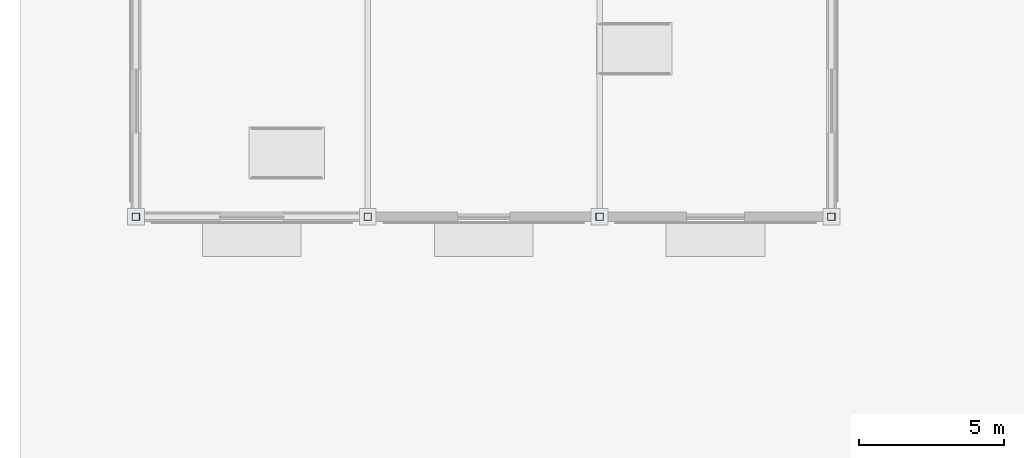
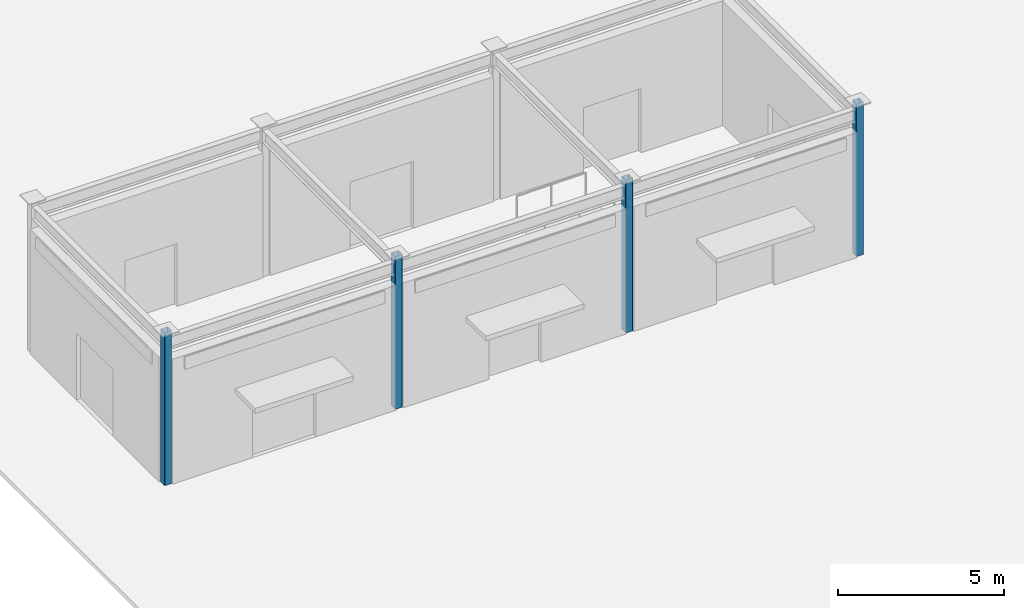
# One storey, part 3 of 128: 4 columns.
"""IFC4 building model written with IfcOpenShell, lengths in metres."""

from ifc_helpers import new_model, si_unit, direction, frame, origin, origin_2d, place, context, subcontext, project, spatial, hollow_rectangle, extrude, material, material_profile, profile_set, type_object, element, save


model = new_model("IFC4")

# Units and contexts
model_context = context("Model", 3, precision=1e-05, world=origin(), true_north=direction((0.0, 1.0)))
body_context = subcontext(model_context, "Body", "Model", "MODEL_VIEW")
ifc_project = project(units=[si_unit("LENGTHUNIT", "METRE"), si_unit("AREAUNIT", "SQUARE_METRE"), si_unit("VOLUMEUNIT", "CUBIC_METRE"), si_unit("PLANEANGLEUNIT", "RADIAN"), si_unit("MASSUNIT", "GRAM", prefix="KILO")], contexts=[model_context])

# Site, building, storey
site_placement = place(None, origin())
site = spatial("IfcSite", under=ifc_project, at=site_placement, CompositionType="ELEMENT")
building_placement = place(site_placement, origin())
building = spatial("IfcBuilding", under=site, at=building_placement, Name="Solmirada Galleria", CompositionType="ELEMENT")
storey_placement = place(building_placement, origin())
storey = spatial("IfcBuildingStorey", under=building, at=storey_placement, Name="L00", CompositionType="ELEMENT", Elevation=0.0)

# Columns
ifc_material = material(Name="Steel S355 / ASTM A500 Grade C", Category="steel")
ifc_material_profile = material_profile(ifc_material, hollow_rectangle(XDim=0.25390625, YDim=0.25390625, WallThickness=0.0087890625, InnerFilletRadius=0.0087890625, OuterFilletRadius=0.017822265625, at=origin_2d()), Name="HSS10X10X3/8")
ifc_profile_set = profile_set([ifc_material_profile], Name="Steel S355 / ASTM A500 Grade C")
column_type = type_object("IfcColumnType", Name="COL-HSS10", PredefinedType="COLUMN", material=ifc_profile_set)
for number, where, z_axis, x_axis, name in (
    (1, (8.0, 56.0, 0.0), (0.0, 0.0, 1.0), (1.0, 0.0, 0.0), "Structural column L00-0002"),
    (2, (16.0, 56.0, 0.0), (0.0, 0.0, 1.0), (1.0, 0.0, 0.0), "Structural column L00-0006"),
    (3, (24.0, 56.0, 0.0), (0.0, 0.0, 1.0), (1.0, 0.0, 0.0), "Structural column L00-0010"),
    (4, (32.0, 56.0, 0.0), (0.0, 0.0, 1.0), (1.0, 0.0, 0.0), "Structural column L00-0014"),
):
    element("IfcColumn", number, at=place(storey_placement, frame(where, z_axis=z_axis, x_axis=x_axis)), inside=storey, type_object=column_type, Name=name, PredefinedType="COLUMN", context=body_context, shape_type="SweptSolid", body=[
        extrude(hollow_rectangle(XDim=0.25390625, YDim=0.25390625, WallThickness=0.0087890625, InnerFilletRadius=0.0087890625, OuterFilletRadius=0.017822265625, at=origin_2d()), origin(), (0.0, 0.0, 1.0), 5.60009765625),
    ])

save(model, "model.ifc")
